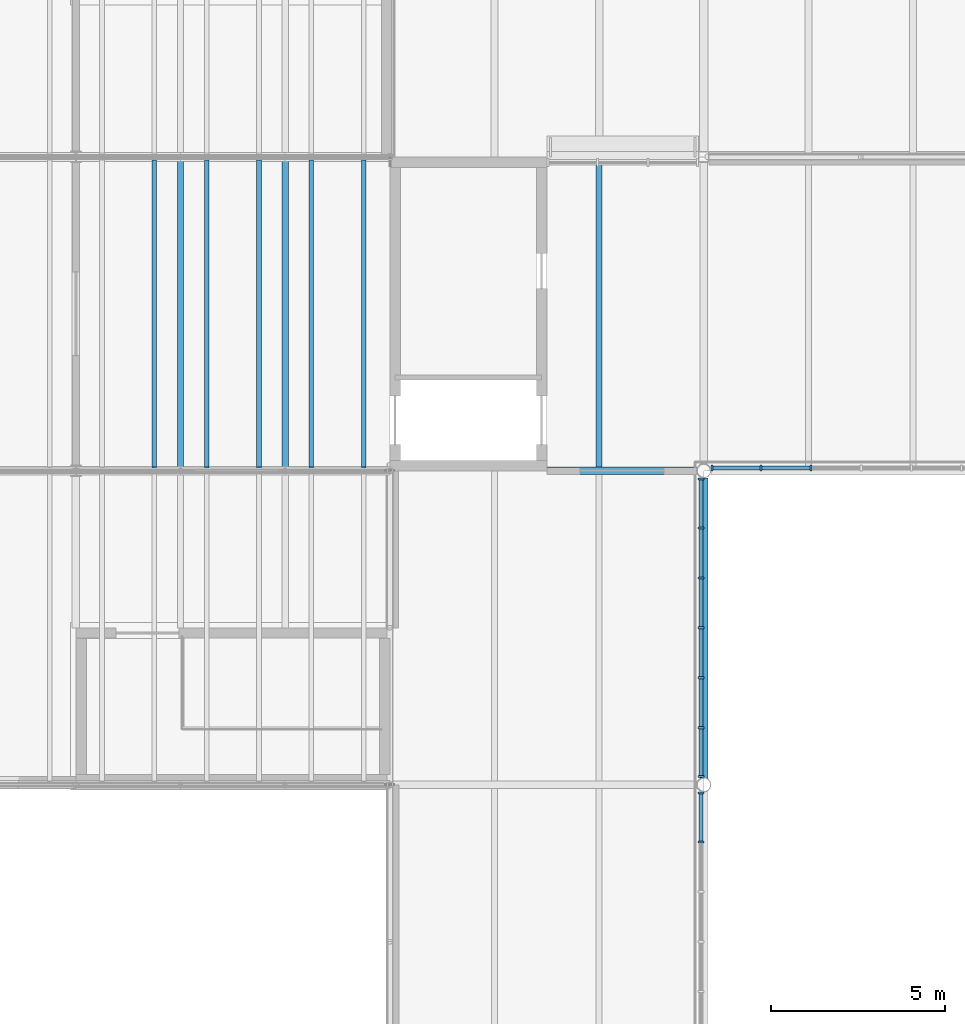
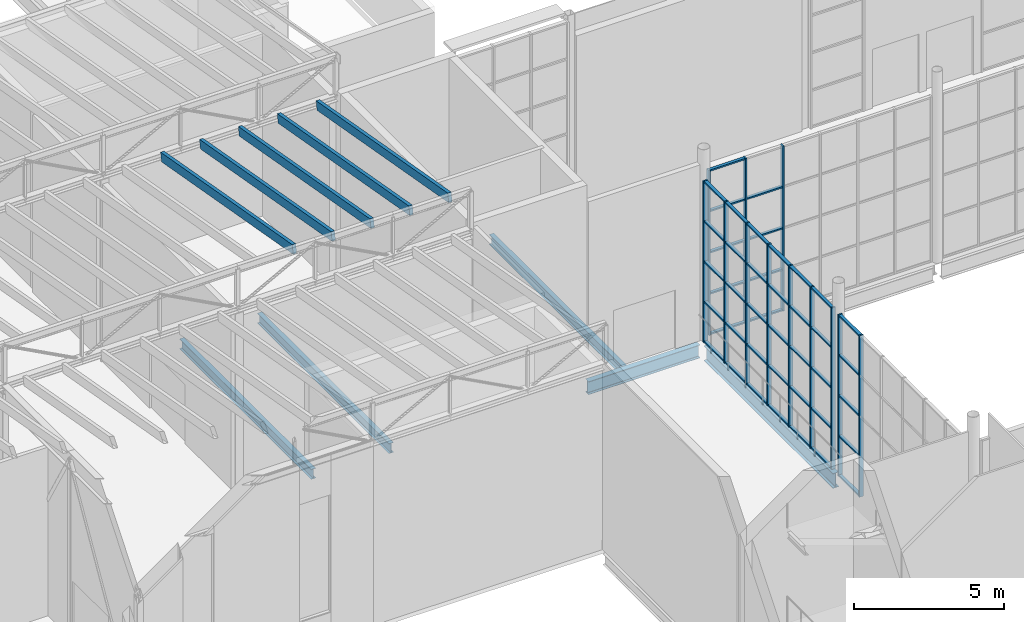
# One storey, part 53 of 90: 61 members, 5 beams, 3 elements without a shape of their own.
"""IFC4 building model written with IfcOpenShell, lengths in metres."""

from ifc_helpers import new_model, si_unit, direction, frame, origin, origin_2d, place, context, subcontext, project, spatial, rectangle, i_section, extrude, material, layer, layer_set, material_profile, profile_set, type_object, element, aggregate, save


model = new_model("IFC4")

# Units and contexts
model_context = context("Model", 3, precision=1e-05, world=origin(), true_north=direction((0.0, 1.0)))
body_context = subcontext(model_context, "Body", "Model", "MODEL_VIEW")
ifc_project = project(units=[si_unit("LENGTHUNIT", "METRE"), si_unit("AREAUNIT", "SQUARE_METRE"), si_unit("VOLUMEUNIT", "CUBIC_METRE"), si_unit("PLANEANGLEUNIT", "RADIAN"), si_unit("MASSUNIT", "GRAM", prefix="KILO")], contexts=[model_context])

# Site, building, storey
site_placement = place(None, origin())
site = spatial("IfcSite", under=ifc_project, at=site_placement, CompositionType="ELEMENT")
building_placement = place(site_placement, origin())
building = spatial("IfcBuilding", under=site, at=building_placement, Name="Halyard Row Museum", CompositionType="ELEMENT")
storey_placement = place(building_placement, frame((0.0, 0.0, 13.39990234375)))
storey = spatial("IfcBuildingStorey", under=building, at=storey_placement, Name="L03", CompositionType="ELEMENT", Elevation=13.39990234375)

# Curtain wall, members
ifc_material_1 = material(Name="Fire-resisting laminated glazing", Category="glass")
ifc_layer = layer(ifc_material_1, 0.159912109375)
ifc_layer_set = layer_set([ifc_layer], Name="Fire-resisting laminated glazing")
curtain_wall_type = type_object("IfcCurtainWallType", Name="Curtain wall atrium screen 160 deep", PredefinedType="NOTDEFINED", material=ifc_layer_set)
curtain_wall_1_placement = place(storey_placement, origin())
curtain_wall_1 = element("IfcCurtainWall", 1, at=curtain_wall_1_placement, inside=storey, type_object=curtain_wall_type, Name="Curtain wall CW099", PredefinedType="NOTDEFINED")
ifc_material_2 = material(Name="Powder-coated aluminium section", Category="aluminium")
ifc_material_profile_1 = material_profile(ifc_material_2, rectangle(XDim=0.159912109375, YDim=0.06005859375, at=origin_2d()), Name="160x60 mullion")
ifc_profile_set_1 = profile_set([ifc_material_profile_1], Name="Powder-coated aluminium section")
member_type_1 = type_object("IfcMemberType", Name="Curtain wall mullion CM5 60 x 160", PredefinedType="MULLION", material=ifc_profile_set_1)
member_1_placement = place(storey_placement, frame((84.076171875, 27.080078125, 0.0), z_axis=(0.0, 0.0, 1.0), x_axis=(0.0, -1.0, 0.0)))
member_1 = element("IfcMember", 2, at=member_1_placement, type_object=member_type_1, Name="CW099 mullion 5", PredefinedType="MULLION", context=body_context, shape_type="SweptSolid", body=[
    extrude(rectangle(XDim=0.159912109375, YDim=0.06005859375, at=origin_2d()), origin(), (0.0, 0.0, 1.0), 6.732177734375),
])
member_2_placement = place(storey_placement, frame((82.6396484375, 27.080078125, 0.0), z_axis=(0.0, 0.0, 1.0), x_axis=(0.0, -1.0, 0.0)))
member_2 = element("IfcMember", 3, at=member_2_placement, type_object=member_type_1, Name="CW099 mullion 6", PredefinedType="MULLION", context=body_context, shape_type="SweptSolid", body=[
    extrude(rectangle(XDim=0.159912109375, YDim=0.06005859375, at=origin_2d()), origin(), (0.0, 0.0, 1.0), 6.732177734375),
])
member_3_placement = place(storey_placement, frame((81.233154296875, 27.080078125, 0.0), z_axis=(0.0, 0.0, 1.0), x_axis=(0.0, -1.0, 0.0)))
member_3 = element("IfcMember", 4, at=member_3_placement, type_object=member_type_1, Name="CW099 mullion 7", PredefinedType="MULLION", context=body_context, shape_type="SweptSolid", body=[
    extrude(rectangle(XDim=0.159912109375, YDim=0.06005859375, at=origin_2d()), origin(), (0.0, 0.0, 1.0), 6.732177734375),
])

curtain_wall_2_placement = place(storey_placement, origin())
curtain_wall_2 = element("IfcCurtainWall", 5, at=curtain_wall_2_placement, inside=storey, type_object=curtain_wall_type, Name="Curtain wall CW100", PredefinedType="NOTDEFINED")
member_4_placement = place(storey_placement, frame((80.919921875, 26.766845703125, 0.0), z_axis=(0.0, 0.0, 1.0), x_axis=(1.0, 0.0, 0.0)))
member_4 = element("IfcMember", 6, at=member_4_placement, type_object=member_type_1, Name="CW100 mullion 1", PredefinedType="MULLION", context=body_context, shape_type="SweptSolid", body=[
    extrude(rectangle(XDim=0.159912109375, YDim=0.06005859375, at=origin_2d()), origin(), (0.0, 0.0, 1.0), 6.585205078125),
])
member_5_placement = place(storey_placement, frame((80.919921875, 25.364501953125, 0.0), z_axis=(0.0, 0.0, 1.0), x_axis=(1.0, 0.0, 0.0)))
member_5 = element("IfcMember", 7, at=member_5_placement, type_object=member_type_1, Name="CW100 mullion 2", PredefinedType="MULLION", context=body_context, shape_type="SweptSolid", body=[
    extrude(rectangle(XDim=0.159912109375, YDim=0.06005859375, at=origin_2d()), origin(), (0.0, 0.0, 1.0), 6.585205078125),
])
member_6_placement = place(storey_placement, frame((80.919921875, 23.932373046875, 0.0), z_axis=(0.0, 0.0, 1.0), x_axis=(1.0, 0.0, 0.0)))
member_6 = element("IfcMember", 8, at=member_6_placement, type_object=member_type_1, Name="CW100 mullion 3", PredefinedType="MULLION", context=body_context, shape_type="SweptSolid", body=[
    extrude(rectangle(XDim=0.159912109375, YDim=0.06005859375, at=origin_2d()), origin(), (0.0, 0.0, 1.0), 6.585205078125),
])
member_7_placement = place(storey_placement, frame((80.919921875, 22.5, 0.0), z_axis=(0.0, 0.0, 1.0), x_axis=(1.0, 0.0, 0.0)))
member_7 = element("IfcMember", 9, at=member_7_placement, type_object=member_type_1, Name="CW100 mullion 4", PredefinedType="MULLION", context=body_context, shape_type="SweptSolid", body=[
    extrude(rectangle(XDim=0.159912109375, YDim=0.06005859375, at=origin_2d()), origin(), (0.0, 0.0, 1.0), 6.585205078125),
])
member_8_placement = place(storey_placement, frame((80.919921875, 21.067626953125, 0.0), z_axis=(0.0, 0.0, 1.0), x_axis=(1.0, 0.0, 0.0)))
member_8 = element("IfcMember", 10, at=member_8_placement, type_object=member_type_1, Name="CW100 mullion 5", PredefinedType="MULLION", context=body_context, shape_type="SweptSolid", body=[
    extrude(rectangle(XDim=0.159912109375, YDim=0.06005859375, at=origin_2d()), origin(), (0.0, 0.0, 1.0), 6.585205078125),
])
member_9_placement = place(storey_placement, frame((80.919921875, 19.635498046875, 0.0), z_axis=(0.0, 0.0, 1.0), x_axis=(1.0, 0.0, 0.0)))
member_9 = element("IfcMember", 11, at=member_9_placement, type_object=member_type_1, Name="CW100 mullion 6", PredefinedType="MULLION", context=body_context, shape_type="SweptSolid", body=[
    extrude(rectangle(XDim=0.159912109375, YDim=0.06005859375, at=origin_2d()), origin(), (0.0, 0.0, 1.0), 6.585205078125),
])
member_10_placement = place(storey_placement, frame((80.919921875, 18.233154296875, 0.0), z_axis=(0.0, 0.0, 1.0), x_axis=(1.0, 0.0, 0.0)))
member_10 = element("IfcMember", 12, at=member_10_placement, type_object=member_type_1, Name="CW100 mullion 7", PredefinedType="MULLION", context=body_context, shape_type="SweptSolid", body=[
    extrude(rectangle(XDim=0.159912109375, YDim=0.06005859375, at=origin_2d()), origin(), (0.0, 0.0, 1.0), 6.585205078125),
])

curtain_wall_3_placement = place(storey_placement, origin())
curtain_wall_3 = element("IfcCurtainWall", 13, at=curtain_wall_3_placement, inside=storey, type_object=curtain_wall_type, Name="Curtain wall CW101", PredefinedType="NOTDEFINED")
member_11_placement = place(storey_placement, frame((80.919921875, 17.766845703125, 0.0), z_axis=(0.0, 0.0, 1.0), x_axis=(1.0, 0.0, 0.0)))
member_11 = element("IfcMember", 14, at=member_11_placement, type_object=member_type_1, Name="CW101 mullion 1", PredefinedType="MULLION", context=body_context, shape_type="SweptSolid", body=[
    extrude(rectangle(XDim=0.159912109375, YDim=0.06005859375, at=origin_2d()), origin(), (0.0, 0.0, 1.0), 6.585205078125),
])
member_12_placement = place(storey_placement, frame((80.919921875, 16.364501953125, 0.0), z_axis=(0.0, 0.0, 1.0), x_axis=(1.0, 0.0, 0.0)))
member_12 = element("IfcMember", 15, at=member_12_placement, type_object=member_type_1, Name="CW101 mullion 2", PredefinedType="MULLION", context=body_context, shape_type="SweptSolid", body=[
    extrude(rectangle(XDim=0.159912109375, YDim=0.06005859375, at=origin_2d()), origin(), (0.0, 0.0, 1.0), 6.585205078125),
])

# Member
ifc_material_3 = material(Name="Powder-coated aluminium section", Category="aluminium")
ifc_material_profile_2 = material_profile(ifc_material_3, rectangle(XDim=0.1201171875, YDim=0.06005859375, at=origin_2d()), Name="120x60 transom")
ifc_profile_set_2 = profile_set([ifc_material_profile_2], Name="Powder-coated aluminium section")
member_type_2 = type_object("IfcMemberType", Name="Curtain wall transom CT5 60 x 120", PredefinedType="USERDEFINED", material=ifc_profile_set_2)
member_13_placement = place(storey_placement, frame((84.046142578125, 27.080078125, 0.030029296875), z_axis=(-1.0, 0.0, 0.0), x_axis=(0.0, -1.0, 0.0)))
member_13 = element("IfcMember", 16, at=member_13_placement, type_object=member_type_2, Name="CW099 transom 5.1", ObjectType="TRANSOM", PredefinedType="USERDEFINED", context=body_context, shape_type="SweptSolid", body=[
    extrude(rectangle(XDim=0.1201171875, YDim=0.06005859375, at=origin_2d()), origin(), (0.0, 0.0, 1.0), 1.37646484375),
])

member_14_placement = place(storey_placement, frame((84.046142578125, 27.080078125, 1.68310546875), z_axis=(-1.0, 0.0, 0.0), x_axis=(0.0, -1.0, 0.0)))
member_14 = element("IfcMember", 17, at=member_14_placement, type_object=member_type_2, Name="CW099 transom 5.2", ObjectType="TRANSOM", PredefinedType="USERDEFINED", context=body_context, shape_type="SweptSolid", body=[
    extrude(rectangle(XDim=0.1201171875, YDim=0.06005859375, at=origin_2d()), origin(), (0.0, 0.0, 1.0), 1.37646484375),
])

member_15_placement = place(storey_placement, frame((84.046142578125, 27.080078125, 3.3662109375), z_axis=(-1.0, 0.0, 0.0), x_axis=(0.0, -1.0, 0.0)))
member_15 = element("IfcMember", 18, at=member_15_placement, type_object=member_type_2, Name="CW099 transom 5.3", ObjectType="TRANSOM", PredefinedType="USERDEFINED", context=body_context, shape_type="SweptSolid", body=[
    extrude(rectangle(XDim=0.1201171875, YDim=0.06005859375, at=origin_2d()), origin(), (0.0, 0.0, 1.0), 1.37646484375),
])

member_16_placement = place(storey_placement, frame((84.046142578125, 27.080078125, 5.049072265625), z_axis=(-1.0, 0.0, 0.0), x_axis=(0.0, -1.0, 0.0)))
member_16 = element("IfcMember", 19, at=member_16_placement, type_object=member_type_2, Name="CW099 transom 5.4", ObjectType="TRANSOM", PredefinedType="USERDEFINED", context=body_context, shape_type="SweptSolid", body=[
    extrude(rectangle(XDim=0.1201171875, YDim=0.06005859375, at=origin_2d()), origin(), (0.0, 0.0, 1.0), 1.37646484375),
])

member_17_placement = place(storey_placement, frame((82.609619140625, 27.080078125, 0.030029296875), z_axis=(-1.0, 0.0, 0.0), x_axis=(0.0, -1.0, 0.0)))
member_17 = element("IfcMember", 20, at=member_17_placement, type_object=member_type_2, Name="CW099 transom 6.1", ObjectType="TRANSOM", PredefinedType="USERDEFINED", context=body_context, shape_type="SweptSolid", body=[
    extrude(rectangle(XDim=0.1201171875, YDim=0.06005859375, at=origin_2d()), origin(), (0.0, 0.0, 1.0), 1.346435546875),
])

member_18_placement = place(storey_placement, frame((82.609619140625, 27.080078125, 1.68310546875), z_axis=(-1.0, 0.0, 0.0), x_axis=(0.0, -1.0, 0.0)))
member_18 = element("IfcMember", 21, at=member_18_placement, type_object=member_type_2, Name="CW099 transom 6.2", ObjectType="TRANSOM", PredefinedType="USERDEFINED", context=body_context, shape_type="SweptSolid", body=[
    extrude(rectangle(XDim=0.1201171875, YDim=0.06005859375, at=origin_2d()), origin(), (0.0, 0.0, 1.0), 1.346435546875),
])

member_19_placement = place(storey_placement, frame((82.609619140625, 27.080078125, 3.3662109375), z_axis=(-1.0, 0.0, 0.0), x_axis=(0.0, -1.0, 0.0)))
member_19 = element("IfcMember", 22, at=member_19_placement, type_object=member_type_2, Name="CW099 transom 6.3", ObjectType="TRANSOM", PredefinedType="USERDEFINED", context=body_context, shape_type="SweptSolid", body=[
    extrude(rectangle(XDim=0.1201171875, YDim=0.06005859375, at=origin_2d()), origin(), (0.0, 0.0, 1.0), 1.346435546875),
])

member_20_placement = place(storey_placement, frame((82.609619140625, 27.080078125, 5.049072265625), z_axis=(-1.0, 0.0, 0.0), x_axis=(0.0, -1.0, 0.0)))
member_20 = element("IfcMember", 23, at=member_20_placement, type_object=member_type_2, Name="CW099 transom 6.4", ObjectType="TRANSOM", PredefinedType="USERDEFINED", context=body_context, shape_type="SweptSolid", body=[
    extrude(rectangle(XDim=0.1201171875, YDim=0.06005859375, at=origin_2d()), origin(), (0.0, 0.0, 1.0), 1.346435546875),
])

member_21_placement = place(storey_placement, frame((82.609619140625, 27.080078125, 6.7021484375), z_axis=(-1.0, 0.0, 0.0), x_axis=(0.0, -1.0, 0.0)))
member_21 = element("IfcMember", 24, at=member_21_placement, type_object=member_type_2, Name="CW099 transom 6.5", ObjectType="TRANSOM", PredefinedType="USERDEFINED", context=body_context, shape_type="SweptSolid", body=[
    extrude(rectangle(XDim=0.1201171875, YDim=0.06005859375, at=origin_2d()), origin(), (0.0, 0.0, 1.0), 1.346435546875),
])

aggregate(curtain_wall_1, [member_1, member_2, member_3, member_13, member_14, member_15, member_16, member_17, member_18, member_19, member_20, member_21])

member_22_placement = place(storey_placement, frame((80.919921875, 26.73681640625, 0.030029296875), z_axis=(0.0, -1.0, 0.0), x_axis=(1.0, 0.0, 0.0)))
member_22 = element("IfcMember", 25, at=member_22_placement, type_object=member_type_2, Name="CW100 transom 1.1", ObjectType="TRANSOM", PredefinedType="USERDEFINED", context=body_context, shape_type="SweptSolid", body=[
    extrude(rectangle(XDim=0.1201171875, YDim=0.06005859375, at=origin_2d()), origin(), (0.0, 0.0, 1.0), 1.34228515625),
])

member_23_placement = place(storey_placement, frame((80.919921875, 26.73681640625, 1.646240234375), z_axis=(0.0, -1.0, 0.0), x_axis=(1.0, 0.0, 0.0)))
member_23 = element("IfcMember", 26, at=member_23_placement, type_object=member_type_2, Name="CW100 transom 1.2", ObjectType="TRANSOM", PredefinedType="USERDEFINED", context=body_context, shape_type="SweptSolid", body=[
    extrude(rectangle(XDim=0.1201171875, YDim=0.06005859375, at=origin_2d()), origin(), (0.0, 0.0, 1.0), 1.34228515625),
])

member_24_placement = place(storey_placement, frame((80.919921875, 26.73681640625, 3.29248046875), z_axis=(0.0, -1.0, 0.0), x_axis=(1.0, 0.0, 0.0)))
member_24 = element("IfcMember", 27, at=member_24_placement, type_object=member_type_2, Name="CW100 transom 1.3", ObjectType="TRANSOM", PredefinedType="USERDEFINED", context=body_context, shape_type="SweptSolid", body=[
    extrude(rectangle(XDim=0.1201171875, YDim=0.06005859375, at=origin_2d()), origin(), (0.0, 0.0, 1.0), 1.34228515625),
])

member_25_placement = place(storey_placement, frame((80.919921875, 26.73681640625, 4.93896484375), z_axis=(0.0, -1.0, 0.0), x_axis=(1.0, 0.0, 0.0)))
member_25 = element("IfcMember", 28, at=member_25_placement, type_object=member_type_2, Name="CW100 transom 1.4", ObjectType="TRANSOM", PredefinedType="USERDEFINED", context=body_context, shape_type="SweptSolid", body=[
    extrude(rectangle(XDim=0.1201171875, YDim=0.06005859375, at=origin_2d()), origin(), (0.0, 0.0, 1.0), 1.34228515625),
])

member_26_placement = place(storey_placement, frame((80.919921875, 26.73681640625, 6.55517578125), z_axis=(0.0, -1.0, 0.0), x_axis=(1.0, 0.0, 0.0)))
member_26 = element("IfcMember", 29, at=member_26_placement, type_object=member_type_2, Name="CW100 transom 1.5", ObjectType="TRANSOM", PredefinedType="USERDEFINED", context=body_context, shape_type="SweptSolid", body=[
    extrude(rectangle(XDim=0.1201171875, YDim=0.06005859375, at=origin_2d()), origin(), (0.0, 0.0, 1.0), 1.34228515625),
])

member_27_placement = place(storey_placement, frame((80.919921875, 25.33447265625, 0.030029296875), z_axis=(0.0, -1.0, 0.0), x_axis=(1.0, 0.0, 0.0)))
member_27 = element("IfcMember", 30, at=member_27_placement, type_object=member_type_2, Name="CW100 transom 2.1", ObjectType="TRANSOM", PredefinedType="USERDEFINED", context=body_context, shape_type="SweptSolid", body=[
    extrude(rectangle(XDim=0.1201171875, YDim=0.06005859375, at=origin_2d()), origin(), (0.0, 0.0, 1.0), 1.372314453125),
])

member_28_placement = place(storey_placement, frame((80.919921875, 25.33447265625, 1.646240234375), z_axis=(0.0, -1.0, 0.0), x_axis=(1.0, 0.0, 0.0)))
member_28 = element("IfcMember", 31, at=member_28_placement, type_object=member_type_2, Name="CW100 transom 2.2", ObjectType="TRANSOM", PredefinedType="USERDEFINED", context=body_context, shape_type="SweptSolid", body=[
    extrude(rectangle(XDim=0.1201171875, YDim=0.06005859375, at=origin_2d()), origin(), (0.0, 0.0, 1.0), 1.372314453125),
])

member_29_placement = place(storey_placement, frame((80.919921875, 25.33447265625, 3.29248046875), z_axis=(0.0, -1.0, 0.0), x_axis=(1.0, 0.0, 0.0)))
member_29 = element("IfcMember", 32, at=member_29_placement, type_object=member_type_2, Name="CW100 transom 2.3", ObjectType="TRANSOM", PredefinedType="USERDEFINED", context=body_context, shape_type="SweptSolid", body=[
    extrude(rectangle(XDim=0.1201171875, YDim=0.06005859375, at=origin_2d()), origin(), (0.0, 0.0, 1.0), 1.372314453125),
])

member_30_placement = place(storey_placement, frame((80.919921875, 25.33447265625, 4.93896484375), z_axis=(0.0, -1.0, 0.0), x_axis=(1.0, 0.0, 0.0)))
member_30 = element("IfcMember", 33, at=member_30_placement, type_object=member_type_2, Name="CW100 transom 2.4", ObjectType="TRANSOM", PredefinedType="USERDEFINED", context=body_context, shape_type="SweptSolid", body=[
    extrude(rectangle(XDim=0.1201171875, YDim=0.06005859375, at=origin_2d()), origin(), (0.0, 0.0, 1.0), 1.372314453125),
])

member_31_placement = place(storey_placement, frame((80.919921875, 25.33447265625, 6.55517578125), z_axis=(0.0, -1.0, 0.0), x_axis=(1.0, 0.0, 0.0)))
member_31 = element("IfcMember", 34, at=member_31_placement, type_object=member_type_2, Name="CW100 transom 2.5", ObjectType="TRANSOM", PredefinedType="USERDEFINED", context=body_context, shape_type="SweptSolid", body=[
    extrude(rectangle(XDim=0.1201171875, YDim=0.06005859375, at=origin_2d()), origin(), (0.0, 0.0, 1.0), 1.372314453125),
])

member_32_placement = place(storey_placement, frame((80.919921875, 23.90234375, 0.030029296875), z_axis=(0.0, -1.0, 0.0), x_axis=(1.0, 0.0, 0.0)))
member_32 = element("IfcMember", 35, at=member_32_placement, type_object=member_type_2, Name="CW100 transom 3.1", ObjectType="TRANSOM", PredefinedType="USERDEFINED", context=body_context, shape_type="SweptSolid", body=[
    extrude(rectangle(XDim=0.1201171875, YDim=0.06005859375, at=origin_2d()), origin(), (0.0, 0.0, 1.0), 1.372314453125),
])

member_33_placement = place(storey_placement, frame((80.919921875, 23.90234375, 1.646240234375), z_axis=(0.0, -1.0, 0.0), x_axis=(1.0, 0.0, 0.0)))
member_33 = element("IfcMember", 36, at=member_33_placement, type_object=member_type_2, Name="CW100 transom 3.2", ObjectType="TRANSOM", PredefinedType="USERDEFINED", context=body_context, shape_type="SweptSolid", body=[
    extrude(rectangle(XDim=0.1201171875, YDim=0.06005859375, at=origin_2d()), origin(), (0.0, 0.0, 1.0), 1.372314453125),
])

member_34_placement = place(storey_placement, frame((80.919921875, 23.90234375, 3.29248046875), z_axis=(0.0, -1.0, 0.0), x_axis=(1.0, 0.0, 0.0)))
member_34 = element("IfcMember", 37, at=member_34_placement, type_object=member_type_2, Name="CW100 transom 3.3", ObjectType="TRANSOM", PredefinedType="USERDEFINED", context=body_context, shape_type="SweptSolid", body=[
    extrude(rectangle(XDim=0.1201171875, YDim=0.06005859375, at=origin_2d()), origin(), (0.0, 0.0, 1.0), 1.372314453125),
])

member_35_placement = place(storey_placement, frame((80.919921875, 23.90234375, 4.93896484375), z_axis=(0.0, -1.0, 0.0), x_axis=(1.0, 0.0, 0.0)))
member_35 = element("IfcMember", 38, at=member_35_placement, type_object=member_type_2, Name="CW100 transom 3.4", ObjectType="TRANSOM", PredefinedType="USERDEFINED", context=body_context, shape_type="SweptSolid", body=[
    extrude(rectangle(XDim=0.1201171875, YDim=0.06005859375, at=origin_2d()), origin(), (0.0, 0.0, 1.0), 1.372314453125),
])

member_36_placement = place(storey_placement, frame((80.919921875, 23.90234375, 6.55517578125), z_axis=(0.0, -1.0, 0.0), x_axis=(1.0, 0.0, 0.0)))
member_36 = element("IfcMember", 39, at=member_36_placement, type_object=member_type_2, Name="CW100 transom 3.5", ObjectType="TRANSOM", PredefinedType="USERDEFINED", context=body_context, shape_type="SweptSolid", body=[
    extrude(rectangle(XDim=0.1201171875, YDim=0.06005859375, at=origin_2d()), origin(), (0.0, 0.0, 1.0), 1.372314453125),
])

member_37_placement = place(storey_placement, frame((80.919921875, 22.469970703125, 0.030029296875), z_axis=(0.0, -1.0, 0.0), x_axis=(1.0, 0.0, 0.0)))
member_37 = element("IfcMember", 40, at=member_37_placement, type_object=member_type_2, Name="CW100 transom 4.1", ObjectType="TRANSOM", PredefinedType="USERDEFINED", context=body_context, shape_type="SweptSolid", body=[
    extrude(rectangle(XDim=0.1201171875, YDim=0.06005859375, at=origin_2d()), origin(), (0.0, 0.0, 1.0), 1.372314453125),
])

member_38_placement = place(storey_placement, frame((80.919921875, 22.469970703125, 1.646240234375), z_axis=(0.0, -1.0, 0.0), x_axis=(1.0, 0.0, 0.0)))
member_38 = element("IfcMember", 41, at=member_38_placement, type_object=member_type_2, Name="CW100 transom 4.2", ObjectType="TRANSOM", PredefinedType="USERDEFINED", context=body_context, shape_type="SweptSolid", body=[
    extrude(rectangle(XDim=0.1201171875, YDim=0.06005859375, at=origin_2d()), origin(), (0.0, 0.0, 1.0), 1.372314453125),
])

member_39_placement = place(storey_placement, frame((80.919921875, 22.469970703125, 3.29248046875), z_axis=(0.0, -1.0, 0.0), x_axis=(1.0, 0.0, 0.0)))
member_39 = element("IfcMember", 42, at=member_39_placement, type_object=member_type_2, Name="CW100 transom 4.3", ObjectType="TRANSOM", PredefinedType="USERDEFINED", context=body_context, shape_type="SweptSolid", body=[
    extrude(rectangle(XDim=0.1201171875, YDim=0.06005859375, at=origin_2d()), origin(), (0.0, 0.0, 1.0), 1.372314453125),
])

member_40_placement = place(storey_placement, frame((80.919921875, 22.469970703125, 4.93896484375), z_axis=(0.0, -1.0, 0.0), x_axis=(1.0, 0.0, 0.0)))
member_40 = element("IfcMember", 43, at=member_40_placement, type_object=member_type_2, Name="CW100 transom 4.4", ObjectType="TRANSOM", PredefinedType="USERDEFINED", context=body_context, shape_type="SweptSolid", body=[
    extrude(rectangle(XDim=0.1201171875, YDim=0.06005859375, at=origin_2d()), origin(), (0.0, 0.0, 1.0), 1.372314453125),
])

member_41_placement = place(storey_placement, frame((80.919921875, 22.469970703125, 6.55517578125), z_axis=(0.0, -1.0, 0.0), x_axis=(1.0, 0.0, 0.0)))
member_41 = element("IfcMember", 44, at=member_41_placement, type_object=member_type_2, Name="CW100 transom 4.5", ObjectType="TRANSOM", PredefinedType="USERDEFINED", context=body_context, shape_type="SweptSolid", body=[
    extrude(rectangle(XDim=0.1201171875, YDim=0.06005859375, at=origin_2d()), origin(), (0.0, 0.0, 1.0), 1.372314453125),
])

member_42_placement = place(storey_placement, frame((80.919921875, 21.037841796875, 0.030029296875), z_axis=(0.0, -1.0, 0.0), x_axis=(1.0, 0.0, 0.0)))
member_42 = element("IfcMember", 45, at=member_42_placement, type_object=member_type_2, Name="CW100 transom 5.1", ObjectType="TRANSOM", PredefinedType="USERDEFINED", context=body_context, shape_type="SweptSolid", body=[
    extrude(rectangle(XDim=0.1201171875, YDim=0.06005859375, at=origin_2d()), origin(), (0.0, 0.0, 1.0), 1.372314453125),
])

member_43_placement = place(storey_placement, frame((80.919921875, 21.037841796875, 1.646240234375), z_axis=(0.0, -1.0, 0.0), x_axis=(1.0, 0.0, 0.0)))
member_43 = element("IfcMember", 46, at=member_43_placement, type_object=member_type_2, Name="CW100 transom 5.2", ObjectType="TRANSOM", PredefinedType="USERDEFINED", context=body_context, shape_type="SweptSolid", body=[
    extrude(rectangle(XDim=0.1201171875, YDim=0.06005859375, at=origin_2d()), origin(), (0.0, 0.0, 1.0), 1.372314453125),
])

member_44_placement = place(storey_placement, frame((80.919921875, 21.037841796875, 3.29248046875), z_axis=(0.0, -1.0, 0.0), x_axis=(1.0, 0.0, 0.0)))
member_44 = element("IfcMember", 47, at=member_44_placement, type_object=member_type_2, Name="CW100 transom 5.3", ObjectType="TRANSOM", PredefinedType="USERDEFINED", context=body_context, shape_type="SweptSolid", body=[
    extrude(rectangle(XDim=0.1201171875, YDim=0.06005859375, at=origin_2d()), origin(), (0.0, 0.0, 1.0), 1.372314453125),
])

member_45_placement = place(storey_placement, frame((80.919921875, 21.037841796875, 4.93896484375), z_axis=(0.0, -1.0, 0.0), x_axis=(1.0, 0.0, 0.0)))
member_45 = element("IfcMember", 48, at=member_45_placement, type_object=member_type_2, Name="CW100 transom 5.4", ObjectType="TRANSOM", PredefinedType="USERDEFINED", context=body_context, shape_type="SweptSolid", body=[
    extrude(rectangle(XDim=0.1201171875, YDim=0.06005859375, at=origin_2d()), origin(), (0.0, 0.0, 1.0), 1.372314453125),
])

member_46_placement = place(storey_placement, frame((80.919921875, 21.037841796875, 6.55517578125), z_axis=(0.0, -1.0, 0.0), x_axis=(1.0, 0.0, 0.0)))
member_46 = element("IfcMember", 49, at=member_46_placement, type_object=member_type_2, Name="CW100 transom 5.5", ObjectType="TRANSOM", PredefinedType="USERDEFINED", context=body_context, shape_type="SweptSolid", body=[
    extrude(rectangle(XDim=0.1201171875, YDim=0.06005859375, at=origin_2d()), origin(), (0.0, 0.0, 1.0), 1.372314453125),
])

member_47_placement = place(storey_placement, frame((80.919921875, 19.60546875, 0.030029296875), z_axis=(0.0, -1.0, 0.0), x_axis=(1.0, 0.0, 0.0)))
member_47 = element("IfcMember", 50, at=member_47_placement, type_object=member_type_2, Name="CW100 transom 6.1", ObjectType="TRANSOM", PredefinedType="USERDEFINED", context=body_context, shape_type="SweptSolid", body=[
    extrude(rectangle(XDim=0.1201171875, YDim=0.06005859375, at=origin_2d()), origin(), (0.0, 0.0, 1.0), 1.34228515625),
])

member_48_placement = place(storey_placement, frame((80.919921875, 19.60546875, 1.646240234375), z_axis=(0.0, -1.0, 0.0), x_axis=(1.0, 0.0, 0.0)))
member_48 = element("IfcMember", 51, at=member_48_placement, type_object=member_type_2, Name="CW100 transom 6.2", ObjectType="TRANSOM", PredefinedType="USERDEFINED", context=body_context, shape_type="SweptSolid", body=[
    extrude(rectangle(XDim=0.1201171875, YDim=0.06005859375, at=origin_2d()), origin(), (0.0, 0.0, 1.0), 1.34228515625),
])

member_49_placement = place(storey_placement, frame((80.919921875, 19.60546875, 3.29248046875), z_axis=(0.0, -1.0, 0.0), x_axis=(1.0, 0.0, 0.0)))
member_49 = element("IfcMember", 52, at=member_49_placement, type_object=member_type_2, Name="CW100 transom 6.3", ObjectType="TRANSOM", PredefinedType="USERDEFINED", context=body_context, shape_type="SweptSolid", body=[
    extrude(rectangle(XDim=0.1201171875, YDim=0.06005859375, at=origin_2d()), origin(), (0.0, 0.0, 1.0), 1.34228515625),
])

member_50_placement = place(storey_placement, frame((80.919921875, 19.60546875, 4.93896484375), z_axis=(0.0, -1.0, 0.0), x_axis=(1.0, 0.0, 0.0)))
member_50 = element("IfcMember", 53, at=member_50_placement, type_object=member_type_2, Name="CW100 transom 6.4", ObjectType="TRANSOM", PredefinedType="USERDEFINED", context=body_context, shape_type="SweptSolid", body=[
    extrude(rectangle(XDim=0.1201171875, YDim=0.06005859375, at=origin_2d()), origin(), (0.0, 0.0, 1.0), 1.34228515625),
])

member_51_placement = place(storey_placement, frame((80.919921875, 19.60546875, 6.55517578125), z_axis=(0.0, -1.0, 0.0), x_axis=(1.0, 0.0, 0.0)))
member_51 = element("IfcMember", 54, at=member_51_placement, type_object=member_type_2, Name="CW100 transom 6.5", ObjectType="TRANSOM", PredefinedType="USERDEFINED", context=body_context, shape_type="SweptSolid", body=[
    extrude(rectangle(XDim=0.1201171875, YDim=0.06005859375, at=origin_2d()), origin(), (0.0, 0.0, 1.0), 1.34228515625),
])

aggregate(curtain_wall_2, [member_4, member_5, member_6, member_7, member_8, member_9, member_10, member_22, member_23, member_24, member_25, member_26, member_27, member_28, member_29, member_30, member_31, member_32, member_33, member_34, member_35, member_36, member_37, member_38, member_39, member_40, member_41, member_42, member_43, member_44, member_45, member_46, member_47, member_48, member_49, member_50, member_51])

member_52_placement = place(storey_placement, frame((80.919921875, 17.73681640625, 0.030029296875), z_axis=(0.0, -1.0, 0.0), x_axis=(1.0, 0.0, 0.0)))
member_52 = element("IfcMember", 55, at=member_52_placement, type_object=member_type_2, Name="CW101 transom 1.1", ObjectType="TRANSOM", PredefinedType="USERDEFINED", context=body_context, shape_type="SweptSolid", body=[
    extrude(rectangle(XDim=0.1201171875, YDim=0.06005859375, at=origin_2d()), origin(), (0.0, 0.0, 1.0), 1.34228515625),
])

member_53_placement = place(storey_placement, frame((80.919921875, 17.73681640625, 1.646240234375), z_axis=(0.0, -1.0, 0.0), x_axis=(1.0, 0.0, 0.0)))
member_53 = element("IfcMember", 56, at=member_53_placement, type_object=member_type_2, Name="CW101 transom 1.2", ObjectType="TRANSOM", PredefinedType="USERDEFINED", context=body_context, shape_type="SweptSolid", body=[
    extrude(rectangle(XDim=0.1201171875, YDim=0.06005859375, at=origin_2d()), origin(), (0.0, 0.0, 1.0), 1.34228515625),
])

member_54_placement = place(storey_placement, frame((80.919921875, 17.73681640625, 3.29248046875), z_axis=(0.0, -1.0, 0.0), x_axis=(1.0, 0.0, 0.0)))
member_54 = element("IfcMember", 57, at=member_54_placement, type_object=member_type_2, Name="CW101 transom 1.3", ObjectType="TRANSOM", PredefinedType="USERDEFINED", context=body_context, shape_type="SweptSolid", body=[
    extrude(rectangle(XDim=0.1201171875, YDim=0.06005859375, at=origin_2d()), origin(), (0.0, 0.0, 1.0), 1.34228515625),
])

member_55_placement = place(storey_placement, frame((80.919921875, 17.73681640625, 4.93896484375), z_axis=(0.0, -1.0, 0.0), x_axis=(1.0, 0.0, 0.0)))
member_55 = element("IfcMember", 58, at=member_55_placement, type_object=member_type_2, Name="CW101 transom 1.4", ObjectType="TRANSOM", PredefinedType="USERDEFINED", context=body_context, shape_type="SweptSolid", body=[
    extrude(rectangle(XDim=0.1201171875, YDim=0.06005859375, at=origin_2d()), origin(), (0.0, 0.0, 1.0), 1.34228515625),
])

member_56_placement = place(storey_placement, frame((80.919921875, 17.73681640625, 6.55517578125), z_axis=(0.0, -1.0, 0.0), x_axis=(1.0, 0.0, 0.0)))
member_56 = element("IfcMember", 59, at=member_56_placement, type_object=member_type_2, Name="CW101 transom 1.5", ObjectType="TRANSOM", PredefinedType="USERDEFINED", context=body_context, shape_type="SweptSolid", body=[
    extrude(rectangle(XDim=0.1201171875, YDim=0.06005859375, at=origin_2d()), origin(), (0.0, 0.0, 1.0), 1.34228515625),
])

aggregate(curtain_wall_3, [member_11, member_12, member_52, member_53, member_54, member_55, member_56])

# Beam
ifc_material_4 = material(Name="Steel Grade 300", Category="steel")
ifc_material_profile_3 = material_profile(ifc_material_4, i_section(OverallWidth=0.208984375, OverallDepth=0.532958984375, WebThickness=0.01025390625, FlangeThickness=0.015625, FilletRadius=0.013916015625, at=origin_2d()), Name="530UB92.4")
ifc_profile_set_3 = profile_set([ifc_material_profile_3], Name="Steel Grade 300")
beam_type_1 = type_object("IfcBeamType", Name="Girder beam 530UB92.4", PredefinedType="BEAM", material=ifc_profile_set_3)
beam_1_placement = place(storey_placement, frame((76.5, 27.0, -0.431396484375), z_axis=(1.0, 0.0, 0.0), x_axis=(0.0, 1.0, 0.0)))
element("IfcBeam", 60, at=beam_1_placement, inside=storey, type_object=beam_type_1, Name="Beam L03-023", PredefinedType="BEAM", context=body_context, shape_type="SweptSolid", body=[
    extrude(i_section(OverallWidth=0.208984375, OverallDepth=0.532958984375, WebThickness=0.01025390625, FlangeThickness=0.015625, FilletRadius=0.013916015625, at=origin_2d()), origin(), (0.0, 0.0, 1.0), 4.296875),
])

# Members
ifc_material_5 = material(Name="Glulam GL12 radiata pine", Category="wood")
ifc_material_profile_4 = material_profile(ifc_material_5, rectangle(XDim=0.135009765625, YDim=0.360107421875, at=origin_2d()), Name="GL12 135x360")
ifc_profile_set_4 = profile_set([ifc_material_profile_4], Name="Glulam GL12 radiata pine")
member_type_3 = type_object("IfcMemberType", Name="Rafter GL12 135x360", PredefinedType="RAFTER", material=ifc_profile_set_4)
for number, where, z_axis, x_axis, name in (
    (61, (65.25, 27.074462890625, 9.083984375), (0.0, 0.984562193919, -0.175035100209), (-1.0, 0.0, 0.0), "Rafter V1-T2a.26"),
    (62, (66.75, 27.074462890625, 9.083984375), (0.0, 0.984562193919, -0.175035100209), (-1.0, 0.0, 0.0), "Rafter V1-T2a.27"),
    (63, (68.25, 27.074462890625, 9.083984375), (0.0, 0.984562193919, -0.175035100209), (-1.0, 0.0, 0.0), "Rafter V1-T2a.28"),
    (64, (69.75, 27.074462890625, 9.083984375), (0.0, 0.984562193919, -0.175035100209), (-1.0, 0.0, 0.0), "Rafter V1-T2a.29"),
    (65, (71.25, 27.074462890625, 9.083984375), (0.0, 0.984562193919, -0.175035100209), (-1.0, 0.0, 0.0), "Rafter V1-T2a.30"),
):
    element("IfcMember", number, at=place(storey_placement, frame(where, z_axis=z_axis, x_axis=x_axis)), inside=storey, type_object=member_type_3, Name=name, PredefinedType="RAFTER", context=body_context, shape_type="SweptSolid", body=[
        extrude(rectangle(XDim=0.135009765625, YDim=0.360107421875, at=origin_2d()), origin(), (0.0, 0.0, 1.0), 8.9365234375),
    ])

# Beams
ifc_material_6 = material(Name="Steel Grade 300", Category="steel")
ifc_material_profile_5 = material_profile(ifc_material_6, i_section(OverallWidth=0.177978515625, OverallDepth=0.406494140625, WebThickness=0.0078125, FlangeThickness=0.0126953125, FilletRadius=0.011474609375, at=origin_2d()), Name="410UB59.7")
ifc_profile_set_5 = profile_set([ifc_material_profile_5], Name="Steel Grade 300")
beam_type_2 = type_object("IfcBeamType", Name="Secondary beam 410UB59.7", PredefinedType="BEAM", material=ifc_profile_set_5)
for number, where, z_axis, x_axis, name in (
    (66, (66.0, 27.1044921875, -0.3681640625), (0.0, 1.0, 0.0), (-1.0, 0.0, 0.0), "Beam L03-107"),
    (67, (69.0, 27.1044921875, -0.3681640625), (0.0, 1.0, 0.0), (-1.0, 0.0, 0.0), "Beam L03-108"),
):
    element("IfcBeam", number, at=place(storey_placement, frame(where, z_axis=z_axis, x_axis=x_axis)), inside=storey, type_object=beam_type_2, Name=name, PredefinedType="BEAM", context=body_context, shape_type="SweptSolid", body=[
        extrude(i_section(OverallWidth=0.177978515625, OverallDepth=0.406494140625, WebThickness=0.0078125, FlangeThickness=0.0126953125, FilletRadius=0.011474609375, at=origin_2d()), origin(), (0.0, 0.0, 1.0), 8.791015625),
    ])
beam_2_placement = place(storey_placement, frame((78.0, 27.1044921875, -0.3681640625), z_axis=(0.0, 1.0, 0.0), x_axis=(-1.0, 0.0, 0.0)))
element("IfcBeam", 68, at=beam_2_placement, inside=storey, type_object=beam_type_2, Name="Beam L03-109", PredefinedType="BEAM", context=body_context, shape_type="SweptSolid", body=[
    extrude(i_section(OverallWidth=0.177978515625, OverallDepth=0.406494140625, WebThickness=0.0078125, FlangeThickness=0.0126953125, FilletRadius=0.011474609375, at=origin_2d()), origin(), (0.0, 0.0, 1.0), 8.887451171875),
])
ifc_material_7 = material(Name="Steel Grade 300", Category="steel")
ifc_material_profile_6 = material_profile(ifc_material_7, i_section(OverallWidth=0.22802734375, OverallDepth=0.60693359375, WebThickness=0.01123046875, FlangeThickness=0.017333984375, FilletRadius=0.013916015625, at=origin_2d()), Name="610UB113")
ifc_profile_set_6 = profile_set([ifc_material_profile_6], Name="Steel Grade 300")
beam_type_3 = type_object("IfcBeamType", Name="Void edge beam 610UB113", PredefinedType="BEAM", material=ifc_profile_set_6)
beam_3_placement = place(storey_placement, frame((81.0, 18.177734375, -0.468505859375), z_axis=(0.0, 1.0, 0.0), x_axis=(-1.0, 0.0, 0.0)))
element("IfcBeam", 69, at=beam_3_placement, inside=storey, type_object=beam_type_3, Name="Beam L03-058", PredefinedType="BEAM", context=body_context, shape_type="SweptSolid", body=[
    extrude(i_section(OverallWidth=0.22802734375, OverallDepth=0.60693359375, WebThickness=0.01123046875, FlangeThickness=0.017333984375, FilletRadius=0.013916015625, at=origin_2d()), origin(), (0.0, 0.0, 1.0), 8.619140625),
])

save(model, "model.ifc")
